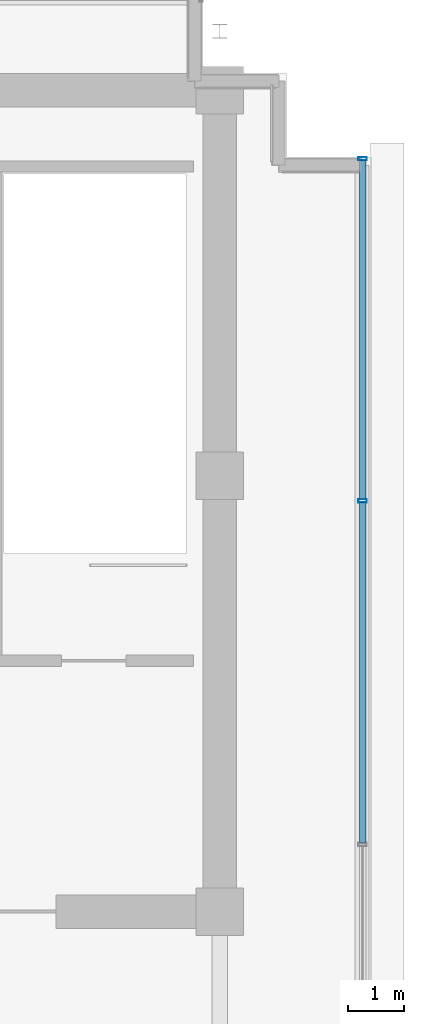
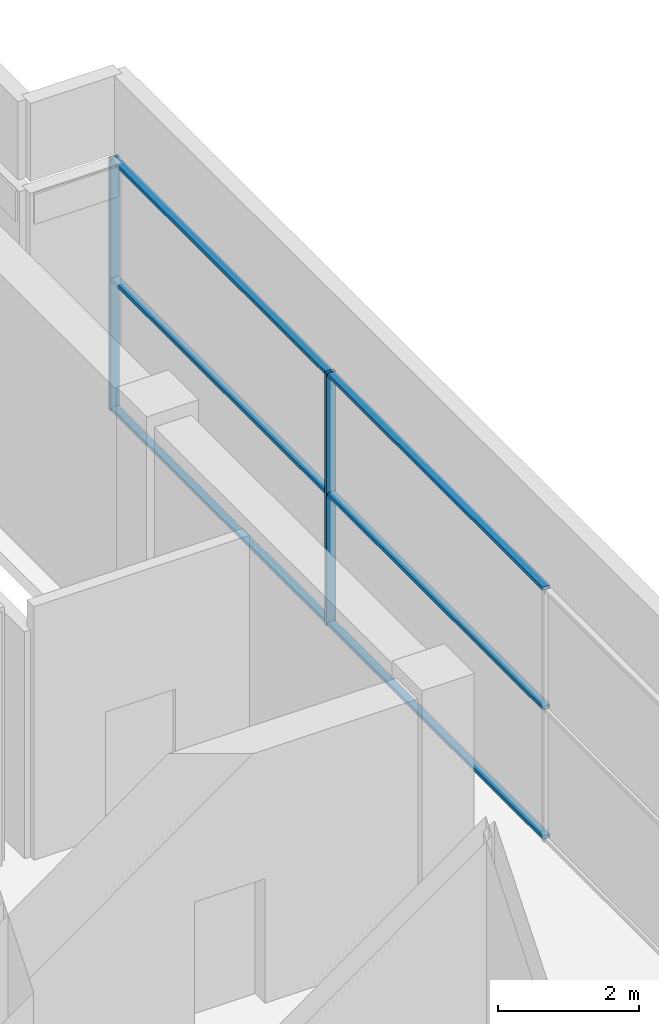
# One storey, part 18 of 22: 8 members, 1 element without a shape of its own.
"""IFC4 building model written with IfcOpenShell, lengths in metres."""

from ifc_helpers import new_model, si_unit, direction, frame, origin, origin_2d, place, context, subcontext, project, spatial, hollow_rectangle, extrude, source, transform, mapped, material, layer, layer_set, material_profile, profile_set, type_object, element, aggregate, save


model = new_model("IFC4")

# Units and contexts
model_context = context("Model", 3, precision=1e-05, world=origin(), true_north=direction((0.0, 1.0)))
body_context = subcontext(model_context, "Body", "Model", "MODEL_VIEW")
ifc_project = project(units=[si_unit("LENGTHUNIT", "METRE"), si_unit("AREAUNIT", "SQUARE_METRE"), si_unit("VOLUMEUNIT", "CUBIC_METRE"), si_unit("PLANEANGLEUNIT", "RADIAN"), si_unit("MASSUNIT", "GRAM", prefix="KILO")], contexts=[model_context])

# Site, building, storey
site_placement = place(None, origin())
site = spatial("IfcSite", under=ifc_project, at=site_placement, CompositionType="ELEMENT")
building_placement = place(site_placement, origin())
building = spatial("IfcBuilding", under=site, at=building_placement, Name="Zarnakvel Exchange Tower", CompositionType="ELEMENT")
storey_placement = place(building_placement, frame((0.0, 0.0, 299.199951171875)))
storey = spatial("IfcBuildingStorey", under=building, at=storey_placement, Name="Crown L83", CompositionType="ELEMENT", Elevation=299.199951171875)

# Curtain wall, members
ifc_material = material(Name="Architectural Bronze Anodised Aluminium", Category="aluminium")
ifc_layer = layer(ifc_material, 0.14990234375)
ifc_layer_set = layer_set([ifc_layer], Name="Architectural Bronze Anodised Aluminium")
curtain_wall_type = type_object("IfcCurtainWallType", Name="CW-07", PredefinedType="NOTDEFINED", material=ifc_layer_set)
curtain_wall_placement = place(storey_placement, origin())
curtain_wall = element("IfcCurtainWall", 1, at=curtain_wall_placement, inside=storey, type_object=curtain_wall_type, Name="Crown L83 Curtain Wall CW-Crown L83-E (CW-07)", PredefinedType="NOTDEFINED")
ifc_material_profile_1 = material_profile(ifc_material, hollow_rectangle(XDim=0.14990234375, YDim=0.06005859375, WallThickness=0.00390625, at=origin_2d()))
ifc_profile_set_1 = profile_set([ifc_material_profile_1], Name="Architectural Bronze Anodised Aluminium")
member_type_1 = type_object("IfcMemberType", Name="CWM-07", PredefinedType="MULLION", material=ifc_profile_set_1)
shared_shape_1 = source(origin(), body_context, "Body", "SweptSolid", [
    extrude(hollow_rectangle(XDim=0.14990234375, YDim=0.06005859375, WallThickness=0.00390625, at=origin_2d()), origin(), (0.0, 0.0, 1.0), 4.360107421875),
])
member_1_placement = place(storey_placement, frame((16.9599609375, 6.14990234375, 0.0), z_axis=(0.0, 0.0, 1.0), x_axis=(-1.0, 0.0, 0.0)))
member_1 = element("IfcMember", 2, at=member_1_placement, type_object=member_type_1, Name="CW-07 mullion 4", PredefinedType="MULLION", context=body_context, shape_type="MappedRepresentation", body=[
    mapped(shared_shape_1, transform((0.0, 0.0, 0.0), x_axis=(1.0, 0.0, 0.0), y_axis=(0.0, 1.0, 0.0), z_axis=(0.0, 0.0, 1.0), scale=1.0)),
])
member_2_placement = place(storey_placement, frame((16.9599609375, 12.27001953125, 0.0), z_axis=(0.0, 0.0, 1.0), x_axis=(-1.0, 0.0, 0.0)))
member_2 = element("IfcMember", 3, at=member_2_placement, type_object=member_type_1, Name="CW-07 mullion 5", PredefinedType="MULLION", context=body_context, shape_type="MappedRepresentation", body=[
    mapped(shared_shape_1, transform((0.0, 0.0, 0.0), x_axis=(1.0, 0.0, 0.0), y_axis=(0.0, 1.0, 0.0), z_axis=(0.0, 0.0, 1.0), scale=1.0)),
])
ifc_material_profile_2 = material_profile(ifc_material, hollow_rectangle(XDim=0.1201171875, YDim=0.06005859375, WallThickness=0.00390625, at=origin_2d()))
ifc_profile_set_2 = profile_set([ifc_material_profile_2], Name="Architectural Bronze Anodised Aluminium")
member_type_2 = type_object("IfcMemberType", Name="CWT-07", PredefinedType="USERDEFINED", material=ifc_profile_set_2)
shared_shape_2 = source(origin(), body_context, "Body", "SweptSolid", [
    extrude(hollow_rectangle(XDim=0.1201171875, YDim=0.06005859375, WallThickness=0.00390625, at=origin_2d()), origin(), (0.0, 0.0, 1.0), 6.06005859375),
])
member_3_placement = place(storey_placement, frame((16.9599609375, 6.179931640625, 0.030029296875), z_axis=(0.0, 1.0, 0.0), x_axis=(-1.0, 0.0, 0.0)))
member_3 = element("IfcMember", 4, at=member_3_placement, type_object=member_type_2, Name="CW-07 transom 4.1", ObjectType="TRANSOM", PredefinedType="USERDEFINED", context=body_context, shape_type="MappedRepresentation", body=[
    mapped(shared_shape_2, transform((0.0, 0.0, 0.0), x_axis=(1.0, 0.0, 0.0), y_axis=(0.0, 1.0, 0.0), z_axis=(0.0, 0.0, 1.0), scale=1.0)),
])
member_4_placement = place(storey_placement, frame((16.9599609375, 6.179931640625, 2.267333984375), z_axis=(0.0, 1.0, 0.0), x_axis=(-1.0, 0.0, 0.0)))
member_4 = element("IfcMember", 5, at=member_4_placement, type_object=member_type_2, Name="CW-07 transom 4.2", ObjectType="TRANSOM", PredefinedType="USERDEFINED", context=body_context, shape_type="MappedRepresentation", body=[
    mapped(shared_shape_2, transform((0.0, 0.0, 0.0), x_axis=(1.0, 0.0, 0.0), y_axis=(0.0, 1.0, 0.0), z_axis=(0.0, 0.0, 1.0), scale=1.0)),
])
member_5_placement = place(storey_placement, frame((16.9599609375, 6.179931640625, 4.330078125), z_axis=(0.0, 1.0, 0.0), x_axis=(-1.0, 0.0, 0.0)))
member_5 = element("IfcMember", 6, at=member_5_placement, type_object=member_type_2, Name="CW-07 transom 4.3", ObjectType="TRANSOM", PredefinedType="USERDEFINED", context=body_context, shape_type="MappedRepresentation", body=[
    mapped(shared_shape_2, transform((0.0, 0.0, 0.0), x_axis=(1.0, 0.0, 0.0), y_axis=(0.0, 1.0, 0.0), z_axis=(0.0, 0.0, 1.0), scale=1.0)),
])
shared_shape_3 = source(origin(), body_context, "Body", "SweptSolid", [
    extrude(hollow_rectangle(XDim=0.1201171875, YDim=0.06005859375, WallThickness=0.00390625, at=origin_2d()), origin(), (0.0, 0.0, 1.0), 6.090087890625),
])
member_6_placement = place(storey_placement, frame((16.9599609375, 0.030029296875, 0.030029296875), z_axis=(0.0, 1.0, 0.0), x_axis=(-1.0, 0.0, 0.0)))
member_6 = element("IfcMember", 7, at=member_6_placement, type_object=member_type_2, Name="CW-07 transom 3.1", ObjectType="TRANSOM", PredefinedType="USERDEFINED", context=body_context, shape_type="MappedRepresentation", body=[
    mapped(shared_shape_3, transform((0.0, 0.0, 0.0), x_axis=(1.0, 0.0, 0.0), y_axis=(0.0, 1.0, 0.0), z_axis=(0.0, 0.0, 1.0), scale=1.0)),
])
member_7_placement = place(storey_placement, frame((16.9599609375, 0.030029296875, 2.267333984375), z_axis=(0.0, 1.0, 0.0), x_axis=(-1.0, 0.0, 0.0)))
member_7 = element("IfcMember", 8, at=member_7_placement, type_object=member_type_2, Name="CW-07 transom 3.2", ObjectType="TRANSOM", PredefinedType="USERDEFINED", context=body_context, shape_type="MappedRepresentation", body=[
    mapped(shared_shape_3, transform((0.0, 0.0, 0.0), x_axis=(1.0, 0.0, 0.0), y_axis=(0.0, 1.0, 0.0), z_axis=(0.0, 0.0, 1.0), scale=1.0)),
])
member_8_placement = place(storey_placement, frame((16.9599609375, 0.030029296875, 4.330078125), z_axis=(0.0, 1.0, 0.0), x_axis=(-1.0, 0.0, 0.0)))
member_8 = element("IfcMember", 9, at=member_8_placement, type_object=member_type_2, Name="CW-07 transom 3.3", ObjectType="TRANSOM", PredefinedType="USERDEFINED", context=body_context, shape_type="MappedRepresentation", body=[
    mapped(shared_shape_3, transform((0.0, 0.0, 0.0), x_axis=(1.0, 0.0, 0.0), y_axis=(0.0, 1.0, 0.0), z_axis=(0.0, 0.0, 1.0), scale=1.0)),
])
aggregate(curtain_wall, [member_1, member_2, member_6, member_7, member_8, member_3, member_4, member_5])

save(model, "model.ifc")
